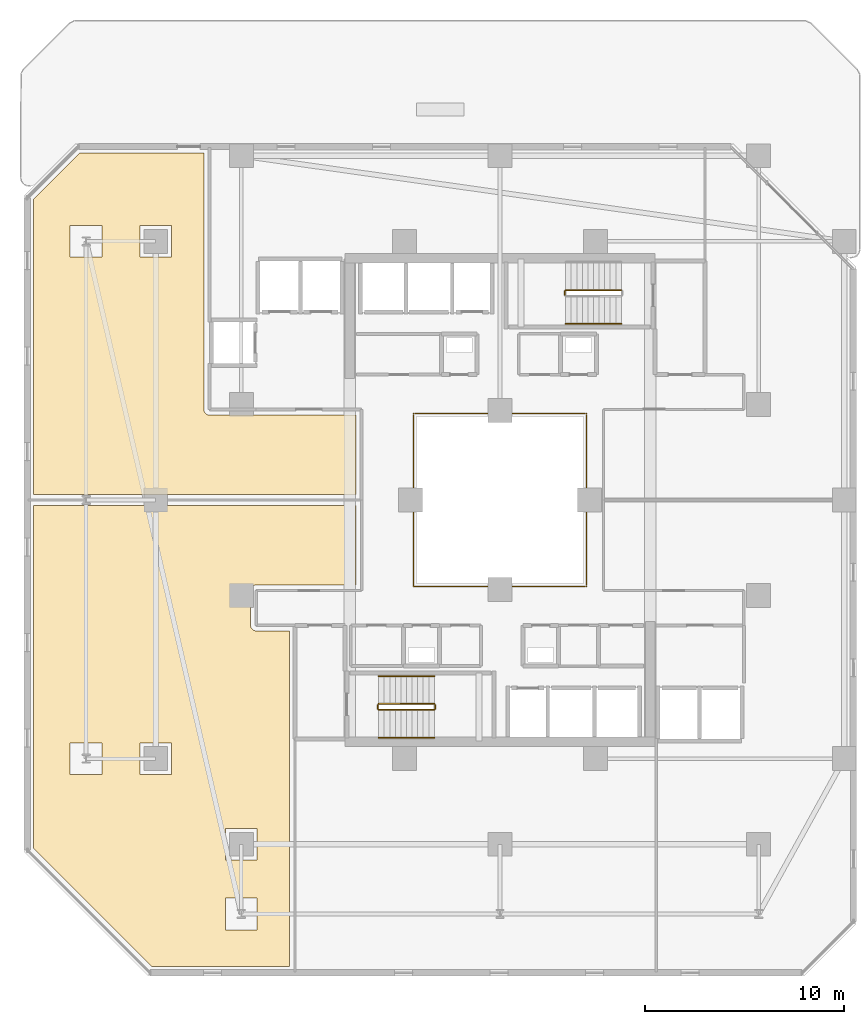
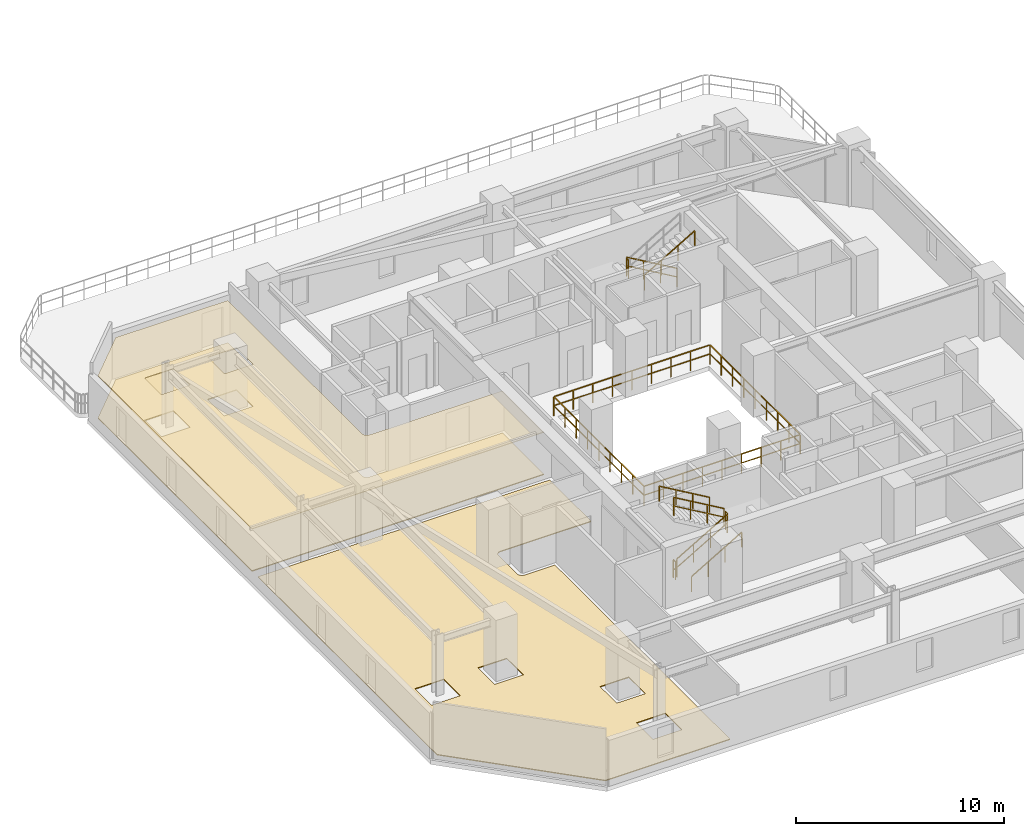
# One storey, part 27 of 31: 10 railings, 3 coverings.
"""IFC4 building model written with IfcOpenShell, lengths in metres."""

from ifc_helpers import new_model, si_unit, direction, frame, origin, origin_2d, place, context, subcontext, project, spatial, polyline, rectangle, outline, extrude, material, layer, layer_set, type_object, element, save


model = new_model("IFC4")

# Units and contexts
model_context = context("Model", 3, precision=1e-05, world=origin(), true_north=direction((0.0, 1.0)))
body_context = subcontext(model_context, "Body", "Model", "MODEL_VIEW")
ifc_project = project(units=[si_unit("LENGTHUNIT", "METRE"), si_unit("AREAUNIT", "SQUARE_METRE"), si_unit("VOLUMEUNIT", "CUBIC_METRE"), si_unit("PLANEANGLEUNIT", "RADIAN"), si_unit("MASSUNIT", "GRAM", prefix="KILO")], contexts=[model_context])

# Site, building, storey
site_placement = place(None, origin())
site = spatial("IfcSite", under=ifc_project, at=site_placement, CompositionType="ELEMENT")
building_placement = place(site_placement, origin())
building = spatial("IfcBuilding", under=site, at=building_placement, Name="Thornwick Lancets Civic Towers", CompositionType="ELEMENT")
storey_placement = place(building_placement, frame((0.0, 0.0, 119.699951171875)))
storey = spatial("IfcBuildingStorey", under=building, at=storey_placement, Name="L31", CompositionType="ELEMENT", Elevation=119.699951171875)

# Coverings
ifc_material_1 = material(Name="Perforated mineral acoustic ceiling tile")
ifc_layer_1 = layer(ifc_material_1, 0.0400390625, Name="Perforated mineral acoustic ceiling tile")
ifc_layer_set_1 = layer_set([ifc_layer_1], Name="Perforated mineral acoustic ceiling tile")
covering_type_1 = type_object("IfcCoveringType", Name="COV_CEIL_ACOUSTIC", PredefinedType="CEILING", material=ifc_layer_set_1)
covering_1_placement = place(storey_placement, frame((0.0, 0.0, 2.485107421875)))
element("IfcCovering", 1, at=covering_1_placement, inside=storey, type_object=covering_type_1, Name="L31 Tower A Policy Briefing Room W2 Ceiling", PredefinedType="CEILING", context=body_context, shape_type="SweptSolid", body=[
    extrude(outline(polyline([(18.27001953125, 31.27001953125), (18.27001953125, 27.280029296875), (2.06005859375, 27.280029296875), (2.06005859375, 42.109375), (4.390625, 44.43994140625), (10.6201171875, 44.43994140625), (10.6201171875, 31.550048828125), (10.621337890625, 31.522705078125), (10.62548828125, 31.495361328125), (10.632080078125, 31.46875), (10.641357421875, 31.44287109375), (10.653076171875, 31.41796875), (10.667236328125, 31.394287109375), (10.68359375, 31.372314453125), (10.701904296875, 31.35205078125), (10.722412109375, 31.33349609375), (10.744384765625, 31.317138671875), (10.76806640625, 31.302978515625), (10.792724609375, 31.291259765625), (10.818603515625, 31.281982421875), (10.845458984375, 31.275390625), (10.87255859375, 31.271240234375), (10.89990234375, 31.27001953125), (18.27001953125, 31.27001953125)]), holes=[polyline([(7.39990234375, 39.199951171875), (9.0, 39.199951171875), (9.0, 40.800048828125), (7.39990234375, 40.800048828125), (7.39990234375, 39.199951171875)]), polyline([(3.89990234375, 39.199951171875), (5.5, 39.199951171875), (5.5, 40.800048828125), (3.89990234375, 40.800048828125), (3.89990234375, 39.199951171875)])]), origin(), (0.0, 0.0, 1.0), 0.0400390625),
])
ifc_material_2 = material(Name="Calcium-sulfate raised access floor panel")
ifc_layer_2 = layer(ifc_material_2, 0.050048828125, Name="Calcium-sulfate raised access floor panel")
ifc_layer_set_2 = layer_set([ifc_layer_2], Name="Calcium-sulfate raised access floor panel")
covering_type_2 = type_object("IfcCoveringType", Name="COV_FLOOR_RAISED", PredefinedType="FLOORING", material=ifc_layer_set_2)
covering_2_placement = place(storey_placement, origin())
element("IfcCovering", 2, at=covering_2_placement, inside=storey, type_object=covering_type_2, Name="L31 Tower A Ministry Directorate Office W1 Raised Access Flooring", PredefinedType="FLOORING", context=body_context, shape_type="SweptSolid", body=[
    extrude(outline(polyline([(18.27001953125, 22.72998046875), (13.25, 22.72998046875), (13.22265625, 22.728759765625), (13.1953125, 22.724609375), (13.168701171875, 22.718017578125), (13.142822265625, 22.708740234375), (13.117919921875, 22.697021484375), (13.094482421875, 22.682861328125), (13.072509765625, 22.66650390625), (13.052001953125, 22.64794921875), (13.03369140625, 22.627685546875), (13.01708984375, 22.605712890625), (13.003173828125, 22.58203125), (12.9912109375, 22.55712890625), (12.982177734375, 22.53125), (12.975341796875, 22.504638671875), (12.97119140625, 22.477294921875), (12.969970703125, 22.449951171875), (12.969970703125, 20.699951171875), (12.97119140625, 20.672607421875), (12.975341796875, 20.6455078125), (12.982177734375, 20.61865234375), (12.9912109375, 20.5927734375), (13.003173828125, 20.568115234375), (13.01708984375, 20.54443359375), (13.03369140625, 20.5224609375), (13.052001953125, 20.501953125), (13.072509765625, 20.483642578125), (13.094482421875, 20.46728515625), (13.117919921875, 20.453125), (13.142822265625, 20.44140625), (13.168701171875, 20.43212890625), (13.1953125, 20.42529296875), (13.22265625, 20.42138671875), (13.25, 20.419921875), (14.919921875, 20.419921875), (14.919921875, 3.56005859375), (7.990478515625, 3.56005859375), (2.06005859375, 9.490478515625), (2.06005859375, 26.719970703125), (18.27001953125, 26.719970703125), (18.27001953125, 22.72998046875)]), holes=[polyline([(11.699951171875, 8.89990234375), (13.300048828125, 8.89990234375), (13.300048828125, 10.5), (11.699951171875, 10.5), (11.699951171875, 8.89990234375)]), polyline([(7.39990234375, 13.199951171875), (9.0, 13.199951171875), (9.0, 14.800048828125), (7.39990234375, 14.800048828125), (7.39990234375, 13.199951171875)]), polyline([(11.699951171875, 5.39990234375), (13.300048828125, 5.39990234375), (13.300048828125, 7.0), (11.699951171875, 7.0), (11.699951171875, 5.39990234375)]), polyline([(3.89990234375, 13.199951171875), (5.5, 13.199951171875), (5.5, 14.800048828125), (3.89990234375, 14.800048828125), (3.89990234375, 13.199951171875)])]), origin(), (0.0, 0.0, 1.0), 0.050048828125),
])
covering_3_placement = place(storey_placement, origin())
element("IfcCovering", 3, at=covering_3_placement, inside=storey, type_object=covering_type_2, Name="L31 Tower A Policy Briefing Room W2 Raised Access Flooring", PredefinedType="FLOORING", context=body_context, shape_type="SweptSolid", body=[
    extrude(outline(polyline([(18.27001953125, 31.27001953125), (18.27001953125, 27.280029296875), (2.06005859375, 27.280029296875), (2.06005859375, 42.109375), (4.390625, 44.43994140625), (10.6201171875, 44.43994140625), (10.6201171875, 31.550048828125), (10.621337890625, 31.522705078125), (10.62548828125, 31.495361328125), (10.632080078125, 31.46875), (10.641357421875, 31.44287109375), (10.653076171875, 31.41796875), (10.667236328125, 31.394287109375), (10.68359375, 31.372314453125), (10.701904296875, 31.35205078125), (10.722412109375, 31.33349609375), (10.744384765625, 31.317138671875), (10.76806640625, 31.302978515625), (10.792724609375, 31.291259765625), (10.818603515625, 31.281982421875), (10.845458984375, 31.275390625), (10.87255859375, 31.271240234375), (10.89990234375, 31.27001953125), (18.27001953125, 31.27001953125)]), holes=[polyline([(7.39990234375, 39.199951171875), (9.0, 39.199951171875), (9.0, 40.800048828125), (7.39990234375, 40.800048828125), (7.39990234375, 39.199951171875)]), polyline([(3.89990234375, 39.199951171875), (5.5, 39.199951171875), (5.5, 40.800048828125), (3.89990234375, 40.800048828125), (3.89990234375, 39.199951171875)])]), origin(), (0.0, 0.0, 1.0), 0.050048828125),
])

# Railings
ifc_material_3 = material(Name="Laminated glass and bronze steel S355", Category="steel")
railing_type_1 = type_object("IfcRailingType", Name="RAIL_ATRIUM_GUARD", PredefinedType="BALUSTRADE", material=ifc_material_3)
railing_1_placement = place(storey_placement, frame((21.159912109375, 22.659912109375, 0.0)))
element("IfcRailing", 4, at=railing_1_placement, inside=storey, type_object=railing_type_1, Name="L31 Tower A Central Atrium Guard Balustrade", PredefinedType="BALUSTRADE", context=body_context, shape_type="SweptSolid", body=[
    extrude(rectangle(XDim=0.048095703125, YDim=0.048095703125, at=origin_2d()), frame((0.0, 0.0, 1.1259765625), z_axis=(1.0, 0.0, 0.0), x_axis=(0.0, 1.0, 0.0)), (0.0, 0.0, 1.0), 8.64892578125),
    extrude(rectangle(XDim=0.0419921875, YDim=0.0419921875, at=origin_2d()), frame((0.03759765625, 0.0, 0.597900390625), z_axis=(1.0, 0.0, 0.0), x_axis=(0.0, 1.0, 0.0)), (0.0, 0.0, 1.0), 1.010009765625),
    extrude(rectangle(XDim=0.0419921875, YDim=0.0419921875, at=origin_2d()), frame((1.12255859375, 0.0, 0.597900390625), z_axis=(1.0, 0.0, 0.0), x_axis=(0.0, 1.0, 0.0)), (0.0, 0.0, 1.0), 1.010009765625),
    extrude(rectangle(XDim=0.0419921875, YDim=0.0419921875, at=origin_2d()), frame((2.20751953125, 0.0, 0.597900390625), z_axis=(1.0, 0.0, 0.0), x_axis=(0.0, 1.0, 0.0)), (0.0, 0.0, 1.0), 1.010009765625),
    extrude(rectangle(XDim=0.0419921875, YDim=0.0419921875, at=origin_2d()), frame((3.29248046875, 0.0, 0.597900390625), z_axis=(1.0, 0.0, 0.0), x_axis=(0.0, 1.0, 0.0)), (0.0, 0.0, 1.0), 1.010009765625),
    extrude(rectangle(XDim=0.0419921875, YDim=0.0419921875, at=origin_2d()), frame((4.377685546875, 0.0, 0.597900390625), z_axis=(1.0, 0.0, 0.0), x_axis=(0.0, 1.0, 0.0)), (0.0, 0.0, 1.0), 1.010009765625),
    extrude(rectangle(XDim=0.0419921875, YDim=0.0419921875, at=origin_2d()), frame((5.462646484375, 0.0, 0.597900390625), z_axis=(1.0, 0.0, 0.0), x_axis=(0.0, 1.0, 0.0)), (0.0, 0.0, 1.0), 1.010009765625),
    extrude(rectangle(XDim=0.0419921875, YDim=0.0419921875, at=origin_2d()), frame((6.547607421875, 0.0, 0.597900390625), z_axis=(1.0, 0.0, 0.0), x_axis=(0.0, 1.0, 0.0)), (0.0, 0.0, 1.0), 1.010009765625),
    extrude(rectangle(XDim=0.0419921875, YDim=0.0419921875, at=origin_2d()), frame((7.632568359375, 0.0, 0.597900390625), z_axis=(1.0, 0.0, 0.0), x_axis=(0.0, 1.0, 0.0)), (0.0, 0.0, 1.0), 1.010009765625),
    extrude(rectangle(XDim=0.048095703125, YDim=0.048095703125, at=origin_2d()), frame((8.68017578125, 0.03125, 1.1259765625), z_axis=(0.0, 1.0, 0.0), x_axis=(-1.0, 0.0, 0.0)), (0.0, 0.0, 1.0), 8.61767578125),
    extrude(rectangle(XDim=0.0419921875, YDim=0.0419921875, at=origin_2d()), frame((8.68017578125, 0.03759765625, 0.597900390625), z_axis=(0.0, 1.0, 0.0), x_axis=(-1.0, 0.0, 0.0)), (0.0, 0.0, 1.0), 1.010009765625),
    extrude(rectangle(XDim=0.0419921875, YDim=0.0419921875, at=origin_2d()), frame((8.68017578125, 1.12255859375, 0.597900390625), z_axis=(0.0, 1.0, 0.0), x_axis=(-1.0, 0.0, 0.0)), (0.0, 0.0, 1.0), 1.010009765625),
    extrude(rectangle(XDim=0.0419921875, YDim=0.0419921875, at=origin_2d()), frame((8.68017578125, 2.20751953125, 0.597900390625), z_axis=(0.0, 1.0, 0.0), x_axis=(-1.0, 0.0, 0.0)), (0.0, 0.0, 1.0), 1.010009765625),
    extrude(rectangle(XDim=0.0419921875, YDim=0.0419921875, at=origin_2d()), frame((8.68017578125, 3.29248046875, 0.597900390625), z_axis=(0.0, 1.0, 0.0), x_axis=(-1.0, 0.0, 0.0)), (0.0, 0.0, 1.0), 1.010009765625),
    extrude(rectangle(XDim=0.0419921875, YDim=0.0419921875, at=origin_2d()), frame((8.68017578125, 4.377685546875, 0.597900390625), z_axis=(0.0, 1.0, 0.0), x_axis=(-1.0, 0.0, 0.0)), (0.0, 0.0, 1.0), 1.010009765625),
    extrude(rectangle(XDim=0.0419921875, YDim=0.0419921875, at=origin_2d()), frame((8.68017578125, 5.462646484375, 0.597900390625), z_axis=(0.0, 1.0, 0.0), x_axis=(-1.0, 0.0, 0.0)), (0.0, 0.0, 1.0), 1.010009765625),
    extrude(rectangle(XDim=0.0419921875, YDim=0.0419921875, at=origin_2d()), frame((8.68017578125, 6.547607421875, 0.597900390625), z_axis=(0.0, 1.0, 0.0), x_axis=(-1.0, 0.0, 0.0)), (0.0, 0.0, 1.0), 1.010009765625),
    extrude(rectangle(XDim=0.0419921875, YDim=0.0419921875, at=origin_2d()), frame((8.68017578125, 7.632568359375, 0.597900390625), z_axis=(0.0, 1.0, 0.0), x_axis=(-1.0, 0.0, 0.0)), (0.0, 0.0, 1.0), 1.010009765625),
    extrude(rectangle(XDim=0.048095703125, YDim=0.048095703125, at=origin_2d()), frame((8.64892578125, 8.68017578125, 1.1259765625), z_axis=(-1.0, 0.0, 0.0), x_axis=(0.0, -1.0, 0.0)), (0.0, 0.0, 1.0), 8.61767578125),
    extrude(rectangle(XDim=0.0419921875, YDim=0.0419921875, at=origin_2d()), frame((8.642578125, 8.68017578125, 0.597900390625), z_axis=(-1.0, 0.0, 0.0), x_axis=(0.0, -1.0, 0.0)), (0.0, 0.0, 1.0), 1.010009765625),
    extrude(rectangle(XDim=0.0419921875, YDim=0.0419921875, at=origin_2d()), frame((7.5576171875, 8.68017578125, 0.597900390625), z_axis=(-1.0, 0.0, 0.0), x_axis=(0.0, -1.0, 0.0)), (0.0, 0.0, 1.0), 1.010009765625),
    extrude(rectangle(XDim=0.0419921875, YDim=0.0419921875, at=origin_2d()), frame((6.47265625, 8.68017578125, 0.597900390625), z_axis=(-1.0, 0.0, 0.0), x_axis=(0.0, -1.0, 0.0)), (0.0, 0.0, 1.0), 1.010009765625),
    extrude(rectangle(XDim=0.0419921875, YDim=0.0419921875, at=origin_2d()), frame((5.3876953125, 8.68017578125, 0.597900390625), z_axis=(-1.0, 0.0, 0.0), x_axis=(0.0, -1.0, 0.0)), (0.0, 0.0, 1.0), 1.010009765625),
    extrude(rectangle(XDim=0.0419921875, YDim=0.0419921875, at=origin_2d()), frame((4.302490234375, 8.68017578125, 0.597900390625), z_axis=(-1.0, 0.0, 0.0), x_axis=(0.0, -1.0, 0.0)), (0.0, 0.0, 1.0), 1.010009765625),
    extrude(rectangle(XDim=0.0419921875, YDim=0.0419921875, at=origin_2d()), frame((3.217529296875, 8.68017578125, 0.597900390625), z_axis=(-1.0, 0.0, 0.0), x_axis=(0.0, -1.0, 0.0)), (0.0, 0.0, 1.0), 1.010009765625),
    extrude(rectangle(XDim=0.0419921875, YDim=0.0419921875, at=origin_2d()), frame((2.132568359375, 8.68017578125, 0.597900390625), z_axis=(-1.0, 0.0, 0.0), x_axis=(0.0, -1.0, 0.0)), (0.0, 0.0, 1.0), 1.010009765625),
    extrude(rectangle(XDim=0.0419921875, YDim=0.0419921875, at=origin_2d()), frame((1.047607421875, 8.68017578125, 0.597900390625), z_axis=(-1.0, 0.0, 0.0), x_axis=(0.0, -1.0, 0.0)), (0.0, 0.0, 1.0), 1.010009765625),
    extrude(rectangle(XDim=0.048095703125, YDim=0.048095703125, at=origin_2d()), frame((0.0, 8.64892578125, 1.1259765625), z_axis=(0.0, -1.0, 0.0), x_axis=(1.0, 0.0, 0.0)), (0.0, 0.0, 1.0), 8.64892578125),
    extrude(rectangle(XDim=0.0419921875, YDim=0.0419921875, at=origin_2d()), frame((0.0, 8.642578125, 0.597900390625), z_axis=(0.0, -1.0, 0.0), x_axis=(1.0, 0.0, 0.0)), (0.0, 0.0, 1.0), 1.010009765625),
    extrude(rectangle(XDim=0.0419921875, YDim=0.0419921875, at=origin_2d()), frame((0.0, 7.5576171875, 0.597900390625), z_axis=(0.0, -1.0, 0.0), x_axis=(1.0, 0.0, 0.0)), (0.0, 0.0, 1.0), 1.010009765625),
    extrude(rectangle(XDim=0.0419921875, YDim=0.0419921875, at=origin_2d()), frame((0.0, 6.47265625, 0.597900390625), z_axis=(0.0, -1.0, 0.0), x_axis=(1.0, 0.0, 0.0)), (0.0, 0.0, 1.0), 1.010009765625),
    extrude(rectangle(XDim=0.0419921875, YDim=0.0419921875, at=origin_2d()), frame((0.0, 5.3876953125, 0.597900390625), z_axis=(0.0, -1.0, 0.0), x_axis=(1.0, 0.0, 0.0)), (0.0, 0.0, 1.0), 1.010009765625),
    extrude(rectangle(XDim=0.0419921875, YDim=0.0419921875, at=origin_2d()), frame((0.0, 4.302490234375, 0.597900390625), z_axis=(0.0, -1.0, 0.0), x_axis=(1.0, 0.0, 0.0)), (0.0, 0.0, 1.0), 1.010009765625),
    extrude(rectangle(XDim=0.0419921875, YDim=0.0419921875, at=origin_2d()), frame((0.0, 3.217529296875, 0.597900390625), z_axis=(0.0, -1.0, 0.0), x_axis=(1.0, 0.0, 0.0)), (0.0, 0.0, 1.0), 1.010009765625),
    extrude(rectangle(XDim=0.0419921875, YDim=0.0419921875, at=origin_2d()), frame((0.0, 2.132568359375, 0.597900390625), z_axis=(0.0, -1.0, 0.0), x_axis=(1.0, 0.0, 0.0)), (0.0, 0.0, 1.0), 1.010009765625),
    extrude(rectangle(XDim=0.0419921875, YDim=0.0419921875, at=origin_2d()), frame((0.0, 1.047607421875, 0.597900390625), z_axis=(0.0, -1.0, 0.0), x_axis=(1.0, 0.0, 0.0)), (0.0, 0.0, 1.0), 1.010009765625),
    extrude(rectangle(XDim=0.0419921875, YDim=0.0419921875, at=origin_2d()), origin(), (0.0, 0.0, 1.0), 1.095703125),
    extrude(rectangle(XDim=0.0419921875, YDim=0.0419921875, at=origin_2d()), frame((1.0849609375, 0.0, 0.0)), (0.0, 0.0, 1.0), 1.095703125),
    extrude(rectangle(XDim=0.0419921875, YDim=0.0419921875, at=origin_2d()), frame((2.169921875, 0.0, 0.0)), (0.0, 0.0, 1.0), 1.095703125),
    extrude(rectangle(XDim=0.0419921875, YDim=0.0419921875, at=origin_2d()), frame((3.255126953125, 0.0, 0.0)), (0.0, 0.0, 1.0), 1.095703125),
    extrude(rectangle(XDim=0.0419921875, YDim=0.0419921875, at=origin_2d()), frame((4.340087890625, 0.0, 0.0)), (0.0, 0.0, 1.0), 1.095703125),
    extrude(rectangle(XDim=0.0419921875, YDim=0.0419921875, at=origin_2d()), frame((5.425048828125, 0.0, 0.0)), (0.0, 0.0, 1.0), 1.095703125),
    extrude(rectangle(XDim=0.0419921875, YDim=0.0419921875, at=origin_2d()), frame((6.51025390625, 0.0, 0.0)), (0.0, 0.0, 1.0), 1.095703125),
    extrude(rectangle(XDim=0.0419921875, YDim=0.0419921875, at=origin_2d()), frame((7.59521484375, 0.0, 0.0)), (0.0, 0.0, 1.0), 1.095703125),
    extrude(rectangle(XDim=0.0419921875, YDim=0.0419921875, at=origin_2d()), frame((8.68017578125, 0.0, 0.0)), (0.0, 0.0, 1.0), 1.095703125),
    extrude(rectangle(XDim=0.0419921875, YDim=0.0419921875, at=origin_2d()), frame((8.68017578125, 1.0849609375, 0.0)), (0.0, 0.0, 1.0), 1.095703125),
    extrude(rectangle(XDim=0.0419921875, YDim=0.0419921875, at=origin_2d()), frame((8.68017578125, 2.169921875, 0.0)), (0.0, 0.0, 1.0), 1.095703125),
    extrude(rectangle(XDim=0.0419921875, YDim=0.0419921875, at=origin_2d()), frame((8.68017578125, 3.255126953125, 0.0)), (0.0, 0.0, 1.0), 1.095703125),
    extrude(rectangle(XDim=0.0419921875, YDim=0.0419921875, at=origin_2d()), frame((8.68017578125, 4.340087890625, 0.0)), (0.0, 0.0, 1.0), 1.095703125),
    extrude(rectangle(XDim=0.0419921875, YDim=0.0419921875, at=origin_2d()), frame((8.68017578125, 5.425048828125, 0.0)), (0.0, 0.0, 1.0), 1.095703125),
    extrude(rectangle(XDim=0.0419921875, YDim=0.0419921875, at=origin_2d()), frame((8.68017578125, 6.51025390625, 0.0)), (0.0, 0.0, 1.0), 1.095703125),
    extrude(rectangle(XDim=0.0419921875, YDim=0.0419921875, at=origin_2d()), frame((8.68017578125, 7.59521484375, 0.0)), (0.0, 0.0, 1.0), 1.095703125),
    extrude(rectangle(XDim=0.0419921875, YDim=0.0419921875, at=origin_2d()), frame((8.68017578125, 8.68017578125, 0.0)), (0.0, 0.0, 1.0), 1.095703125),
    extrude(rectangle(XDim=0.0419921875, YDim=0.0419921875, at=origin_2d()), frame((7.59521484375, 8.68017578125, 0.0)), (0.0, 0.0, 1.0), 1.095703125),
    extrude(rectangle(XDim=0.0419921875, YDim=0.0419921875, at=origin_2d()), frame((6.51025390625, 8.68017578125, 0.0)), (0.0, 0.0, 1.0), 1.095703125),
    extrude(rectangle(XDim=0.0419921875, YDim=0.0419921875, at=origin_2d()), frame((5.425048828125, 8.68017578125, 0.0)), (0.0, 0.0, 1.0), 1.095703125),
    extrude(rectangle(XDim=0.0419921875, YDim=0.0419921875, at=origin_2d()), frame((4.340087890625, 8.68017578125, 0.0)), (0.0, 0.0, 1.0), 1.095703125),
    extrude(rectangle(XDim=0.0419921875, YDim=0.0419921875, at=origin_2d()), frame((3.255126953125, 8.68017578125, 0.0)), (0.0, 0.0, 1.0), 1.095703125),
    extrude(rectangle(XDim=0.0419921875, YDim=0.0419921875, at=origin_2d()), frame((2.169921875, 8.68017578125, 0.0)), (0.0, 0.0, 1.0), 1.095703125),
    extrude(rectangle(XDim=0.0419921875, YDim=0.0419921875, at=origin_2d()), frame((1.0849609375, 8.68017578125, 0.0)), (0.0, 0.0, 1.0), 1.095703125),
    extrude(rectangle(XDim=0.0419921875, YDim=0.0419921875, at=origin_2d()), frame((0.0, 8.68017578125, 0.0)), (0.0, 0.0, 1.0), 1.095703125),
    extrude(rectangle(XDim=0.0419921875, YDim=0.0419921875, at=origin_2d()), frame((0.0, 7.59521484375, 0.0)), (0.0, 0.0, 1.0), 1.095703125),
    extrude(rectangle(XDim=0.0419921875, YDim=0.0419921875, at=origin_2d()), frame((0.0, 6.51025390625, 0.0)), (0.0, 0.0, 1.0), 1.095703125),
    extrude(rectangle(XDim=0.0419921875, YDim=0.0419921875, at=origin_2d()), frame((0.0, 5.425048828125, 0.0)), (0.0, 0.0, 1.0), 1.095703125),
    extrude(rectangle(XDim=0.0419921875, YDim=0.0419921875, at=origin_2d()), frame((0.0, 4.340087890625, 0.0)), (0.0, 0.0, 1.0), 1.095703125),
    extrude(rectangle(XDim=0.0419921875, YDim=0.0419921875, at=origin_2d()), frame((0.0, 3.255126953125, 0.0)), (0.0, 0.0, 1.0), 1.095703125),
    extrude(rectangle(XDim=0.0419921875, YDim=0.0419921875, at=origin_2d()), frame((0.0, 2.169921875, 0.0)), (0.0, 0.0, 1.0), 1.095703125),
    extrude(rectangle(XDim=0.0419921875, YDim=0.0419921875, at=origin_2d()), frame((0.0, 1.0849609375, 0.0)), (0.0, 0.0, 1.0), 1.095703125),
])
ifc_material_4 = material(Name="Brushed stainless steel S355", Category="steel")
railing_type_2 = type_object("IfcRailingType", Name="RAIL_HANDRAIL", PredefinedType="HANDRAIL", material=ifc_material_4)
railing_2_placement = place(storey_placement, frame((19.39990234375, 15.050048828125, 0.16357421875)))
element("IfcRailing", 5, at=railing_2_placement, inside=storey, type_object=railing_type_2, Name="L31 ST-A1 stair handrail 1", PredefinedType="HANDRAIL", context=body_context, shape_type="SweptSolid", body=[
    extrude(rectangle(XDim=0.048095703125, YDim=0.048095703125, at=origin_2d()), frame((0.0, 0.0, 0.8857421875), z_axis=(0.863360870873, 0.0, 0.504586966384), x_axis=(0.0, 1.0, 0.0)), (0.0, 0.0, 1.0), 3.2431640625),
    extrude(rectangle(XDim=0.0419921875, YDim=0.0419921875, at=origin_2d()), origin(), (0.0, 0.0, 1.0), 0.855712890625),
    extrude(rectangle(XDim=0.0419921875, YDim=0.0419921875, at=origin_2d()), frame((0.933349609375, 0.0, 0.54541015625)), (0.0, 0.0, 1.0), 0.855712890625),
    extrude(rectangle(XDim=0.0419921875, YDim=0.0419921875, at=origin_2d()), frame((1.86669921875, 0.0, 1.091064453125)), (0.0, 0.0, 1.0), 0.855712890625),
    extrude(rectangle(XDim=0.0419921875, YDim=0.0419921875, at=origin_2d()), frame((2.800048828125, 0.0, 1.636474609375)), (0.0, 0.0, 1.0), 0.855712890625),
])
railing_3_placement = place(storey_placement, frame((22.199951171875, 18.14990234375, 1.963623046875)))
element("IfcRailing", 6, at=railing_3_placement, inside=storey, type_object=railing_type_2, Name="L31 ST-A1 stair handrail 2", PredefinedType="HANDRAIL", context=body_context, shape_type="SweptSolid", body=[
    extrude(rectangle(XDim=0.048095703125, YDim=0.048095703125, at=origin_2d()), frame((0.0, 0.0, 0.8857421875), z_axis=(-0.863360870873, 0.0, 0.504586966384), x_axis=(0.0, -1.0, 0.0)), (0.0, 0.0, 1.0), 3.2431640625),
    extrude(rectangle(XDim=0.0419921875, YDim=0.0419921875, at=origin_2d()), origin(), (0.0, 0.0, 1.0), 0.855712890625),
    extrude(rectangle(XDim=0.0419921875, YDim=0.0419921875, at=origin_2d()), frame((-0.933349609375, 0.0, 0.54541015625)), (0.0, 0.0, 1.0), 0.855712890625),
    extrude(rectangle(XDim=0.0419921875, YDim=0.0419921875, at=origin_2d()), frame((-1.86669921875, 0.0, 1.091064453125)), (0.0, 0.0, 1.0), 0.855712890625),
    extrude(rectangle(XDim=0.0419921875, YDim=0.0419921875, at=origin_2d()), frame((-2.800048828125, 0.0, 1.636474609375)), (0.0, 0.0, 1.0), 0.855712890625),
])
railing_4_placement = place(storey_placement, frame((28.800048828125, 35.85009765625, 1.963623046875)))
element("IfcRailing", 7, at=railing_4_placement, inside=storey, type_object=railing_type_2, Name="L31 ST-A2 stair handrail 2", PredefinedType="HANDRAIL", context=body_context, shape_type="SweptSolid", body=[
    extrude(rectangle(XDim=0.048095703125, YDim=0.048095703125, at=origin_2d()), frame((0.0, 0.0, 0.8857421875), z_axis=(0.863360870873, 0.0, 0.504586966384), x_axis=(0.0, 1.0, 0.0)), (0.0, 0.0, 1.0), 3.2431640625),
    extrude(rectangle(XDim=0.0419921875, YDim=0.0419921875, at=origin_2d()), origin(), (0.0, 0.0, 1.0), 0.855712890625),
    extrude(rectangle(XDim=0.0419921875, YDim=0.0419921875, at=origin_2d()), frame((0.933349609375, 0.0, 0.54541015625)), (0.0, 0.0, 1.0), 0.855712890625),
    extrude(rectangle(XDim=0.0419921875, YDim=0.0419921875, at=origin_2d()), frame((1.86669921875, 0.0, 1.091064453125)), (0.0, 0.0, 1.0), 0.855712890625),
    extrude(rectangle(XDim=0.0419921875, YDim=0.0419921875, at=origin_2d()), frame((2.800048828125, 0.0, 1.636474609375)), (0.0, 0.0, 1.0), 0.855712890625),
])
ifc_material_5 = material(Name="Steel S355JR", Category="steel")
railing_type_3 = type_object("IfcRailingType", Name="RAIL_STAIR_GUARD", PredefinedType="GUARDRAIL", material=ifc_material_5)
railing_5_placement = place(storey_placement, frame((19.39990234375, 16.449951171875, 0.16357421875)))
element("IfcRailing", 8, at=railing_5_placement, inside=storey, type_object=railing_type_3, Name="L31 ST-A1 stair guard 1", PredefinedType="GUARDRAIL", context=body_context, shape_type="SweptSolid", body=[
    extrude(rectangle(XDim=0.048095703125, YDim=0.048095703125, at=origin_2d()), frame((0.0, 0.0, 1.076171875), z_axis=(0.863360870873, 0.0, 0.504586966384), x_axis=(0.0, 1.0, 0.0)), (0.0, 0.0, 1.0), 3.2431640625),
    extrude(rectangle(XDim=0.0419921875, YDim=0.0419921875, at=origin_2d()), frame((0.032470703125, 0.0, 0.591064453125), z_axis=(0.863360870873, 0.0, 0.504586966384), x_axis=(0.0, 1.0, 0.0)), (0.0, 0.0, 1.0), 1.006103515625),
    extrude(rectangle(XDim=0.0419921875, YDim=0.0419921875, at=origin_2d()), frame((0.9658203125, 0.0, 1.136474609375), z_axis=(0.863360870873, 0.0, 0.504586966384), x_axis=(0.0, 1.0, 0.0)), (0.0, 0.0, 1.0), 1.006103515625),
    extrude(rectangle(XDim=0.0419921875, YDim=0.0419921875, at=origin_2d()), frame((1.899169921875, 0.0, 1.681884765625), z_axis=(0.863360870873, 0.0, 0.504586966384), x_axis=(0.0, 1.0, 0.0)), (0.0, 0.0, 1.0), 1.006103515625),
    extrude(rectangle(XDim=0.0419921875, YDim=0.0419921875, at=origin_2d()), origin(), (0.0, 0.0, 1.0), 1.0458984375),
    extrude(rectangle(XDim=0.0419921875, YDim=0.0419921875, at=origin_2d()), frame((0.933349609375, 0.0, 0.54541015625)), (0.0, 0.0, 1.0), 1.0458984375),
    extrude(rectangle(XDim=0.0419921875, YDim=0.0419921875, at=origin_2d()), frame((1.86669921875, 0.0, 1.091064453125)), (0.0, 0.0, 1.0), 1.0458984375),
    extrude(rectangle(XDim=0.0419921875, YDim=0.0419921875, at=origin_2d()), frame((2.800048828125, 0.0, 1.636474609375)), (0.0, 0.0, 1.0), 1.0458984375),
])
railing_6_placement = place(storey_placement, frame((22.25, 16.5, 1.800048828125)))
element("IfcRailing", 9, at=railing_6_placement, inside=storey, type_object=railing_type_3, Name="L31 ST-A1 stair guard 2", PredefinedType="GUARDRAIL", context=body_context, shape_type="SweptSolid", body=[
    extrude(rectangle(XDim=0.048095703125, YDim=0.048095703125, at=origin_2d()), frame((0.0, 0.0, 1.076171875), z_axis=(0.0, 1.0, 0.0), x_axis=(-1.0, 0.0, 0.0)), (0.0, 0.0, 1.0), 0.199951171875),
    extrude(rectangle(XDim=0.0419921875, YDim=0.0419921875, at=origin_2d()), frame((0.0, 0.03759765625, 0.572021484375), z_axis=(0.0, 1.0, 0.0), x_axis=(-1.0, 0.0, 0.0)), (0.0, 0.0, 1.0), 0.125),
    extrude(rectangle(XDim=0.0419921875, YDim=0.0419921875, at=origin_2d()), origin(), (0.0, 0.0, 1.0), 1.0458984375),
    extrude(rectangle(XDim=0.0419921875, YDim=0.0419921875, at=origin_2d()), frame((0.0, 0.199951171875, 0.0)), (0.0, 0.0, 1.0), 1.0458984375),
])
railing_7_placement = place(storey_placement, frame((22.199951171875, 16.75, 1.963623046875)))
element("IfcRailing", 10, at=railing_7_placement, inside=storey, type_object=railing_type_3, Name="L31 ST-A1 stair guard 3", PredefinedType="GUARDRAIL", context=body_context, shape_type="SweptSolid", body=[
    extrude(rectangle(XDim=0.048095703125, YDim=0.048095703125, at=origin_2d()), frame((0.0, 0.0, 1.076171875), z_axis=(-0.863360870873, 0.0, 0.504586966384), x_axis=(0.0, -1.0, 0.0)), (0.0, 0.0, 1.0), 3.2431640625),
    extrude(rectangle(XDim=0.0419921875, YDim=0.0419921875, at=origin_2d()), frame((-0.032470703125, 0.0, 0.591064453125), z_axis=(-0.863360870873, 0.0, 0.504586966384), x_axis=(0.0, -1.0, 0.0)), (0.0, 0.0, 1.0), 1.006103515625),
    extrude(rectangle(XDim=0.0419921875, YDim=0.0419921875, at=origin_2d()), frame((-0.9658203125, 0.0, 1.136474609375), z_axis=(-0.863360870873, 0.0, 0.504586966384), x_axis=(0.0, -1.0, 0.0)), (0.0, 0.0, 1.0), 1.006103515625),
    extrude(rectangle(XDim=0.0419921875, YDim=0.0419921875, at=origin_2d()), frame((-1.899169921875, 0.0, 1.681884765625), z_axis=(-0.863360870873, 0.0, 0.504586966384), x_axis=(0.0, -1.0, 0.0)), (0.0, 0.0, 1.0), 1.006103515625),
    extrude(rectangle(XDim=0.0419921875, YDim=0.0419921875, at=origin_2d()), origin(), (0.0, 0.0, 1.0), 1.0458984375),
    extrude(rectangle(XDim=0.0419921875, YDim=0.0419921875, at=origin_2d()), frame((-0.933349609375, 0.0, 0.54541015625)), (0.0, 0.0, 1.0), 1.0458984375),
    extrude(rectangle(XDim=0.0419921875, YDim=0.0419921875, at=origin_2d()), frame((-1.86669921875, 0.0, 1.091064453125)), (0.0, 0.0, 1.0), 1.0458984375),
    extrude(rectangle(XDim=0.0419921875, YDim=0.0419921875, at=origin_2d()), frame((-2.800048828125, 0.0, 1.636474609375)), (0.0, 0.0, 1.0), 1.0458984375),
])
railing_8_placement = place(storey_placement, frame((19.35009765625, 16.5, 0.0)))
element("IfcRailing", 11, at=railing_8_placement, inside=storey, type_object=railing_type_3, Name="L31 ST-A1 stair guard 4", PredefinedType="GUARDRAIL", context=body_context, shape_type="SweptSolid", body=[
    extrude(rectangle(XDim=0.048095703125, YDim=0.048095703125, at=origin_2d()), frame((0.0, 0.0, 1.076171875), z_axis=(0.0, 1.0, 0.0), x_axis=(-1.0, 0.0, 0.0)), (0.0, 0.0, 1.0), 0.199951171875),
    extrude(rectangle(XDim=0.0419921875, YDim=0.0419921875, at=origin_2d()), frame((0.0, 0.03759765625, 0.572021484375), z_axis=(0.0, 1.0, 0.0), x_axis=(-1.0, 0.0, 0.0)), (0.0, 0.0, 1.0), 0.125),
    extrude(rectangle(XDim=0.0419921875, YDim=0.0419921875, at=origin_2d()), origin(), (0.0, 0.0, 1.0), 1.0458984375),
    extrude(rectangle(XDim=0.0419921875, YDim=0.0419921875, at=origin_2d()), frame((0.0, 0.199951171875, 0.0)), (0.0, 0.0, 1.0), 1.0458984375),
])
railing_9_placement = place(storey_placement, frame((31.60009765625, 37.550048828125, 0.16357421875)))
element("IfcRailing", 12, at=railing_9_placement, inside=storey, type_object=railing_type_3, Name="L31 ST-A2 stair guard 1", PredefinedType="GUARDRAIL", context=body_context, shape_type="SweptSolid", body=[
    extrude(rectangle(XDim=0.048095703125, YDim=0.048095703125, at=origin_2d()), frame((0.0, 0.0, 1.076171875), z_axis=(-0.863360870873, 0.0, 0.504586966384), x_axis=(0.0, -1.0, 0.0)), (0.0, 0.0, 1.0), 3.2431640625),
    extrude(rectangle(XDim=0.0419921875, YDim=0.0419921875, at=origin_2d()), frame((-0.032470703125, 0.0, 0.591064453125), z_axis=(-0.863360870873, 0.0, 0.504586966384), x_axis=(0.0, -1.0, 0.0)), (0.0, 0.0, 1.0), 1.006103515625),
    extrude(rectangle(XDim=0.0419921875, YDim=0.0419921875, at=origin_2d()), frame((-0.9658203125, 0.0, 1.136474609375), z_axis=(-0.863360870873, 0.0, 0.504586966384), x_axis=(0.0, -1.0, 0.0)), (0.0, 0.0, 1.0), 1.006103515625),
    extrude(rectangle(XDim=0.0419921875, YDim=0.0419921875, at=origin_2d()), frame((-1.899169921875, 0.0, 1.681884765625), z_axis=(-0.863360870873, 0.0, 0.504586966384), x_axis=(0.0, -1.0, 0.0)), (0.0, 0.0, 1.0), 1.006103515625),
    extrude(rectangle(XDim=0.0419921875, YDim=0.0419921875, at=origin_2d()), origin(), (0.0, 0.0, 1.0), 1.0458984375),
    extrude(rectangle(XDim=0.0419921875, YDim=0.0419921875, at=origin_2d()), frame((-0.933349609375, 0.0, 0.54541015625)), (0.0, 0.0, 1.0), 1.0458984375),
    extrude(rectangle(XDim=0.0419921875, YDim=0.0419921875, at=origin_2d()), frame((-1.86669921875, 0.0, 1.091064453125)), (0.0, 0.0, 1.0), 1.0458984375),
    extrude(rectangle(XDim=0.0419921875, YDim=0.0419921875, at=origin_2d()), frame((-2.800048828125, 0.0, 1.636474609375)), (0.0, 0.0, 1.0), 1.0458984375),
])
railing_10_placement = place(storey_placement, frame((28.75, 37.5, 1.800048828125)))
element("IfcRailing", 13, at=railing_10_placement, inside=storey, type_object=railing_type_3, Name="L31 ST-A2 stair guard 2", PredefinedType="GUARDRAIL", context=body_context, shape_type="SweptSolid", body=[
    extrude(rectangle(XDim=0.048095703125, YDim=0.048095703125, at=origin_2d()), frame((0.0, 0.0, 1.076171875), z_axis=(0.0, -1.0, 0.0), x_axis=(1.0, 0.0, 0.0)), (0.0, 0.0, 1.0), 0.199951171875),
    extrude(rectangle(XDim=0.0419921875, YDim=0.0419921875, at=origin_2d()), frame((0.0, -0.03759765625, 0.572021484375), z_axis=(0.0, -1.0, 0.0), x_axis=(1.0, 0.0, 0.0)), (0.0, 0.0, 1.0), 0.125),
    extrude(rectangle(XDim=0.0419921875, YDim=0.0419921875, at=origin_2d()), origin(), (0.0, 0.0, 1.0), 1.0458984375),
    extrude(rectangle(XDim=0.0419921875, YDim=0.0419921875, at=origin_2d()), frame((0.0, -0.199951171875, 0.0)), (0.0, 0.0, 1.0), 1.0458984375),
])

save(model, "model.ifc")
